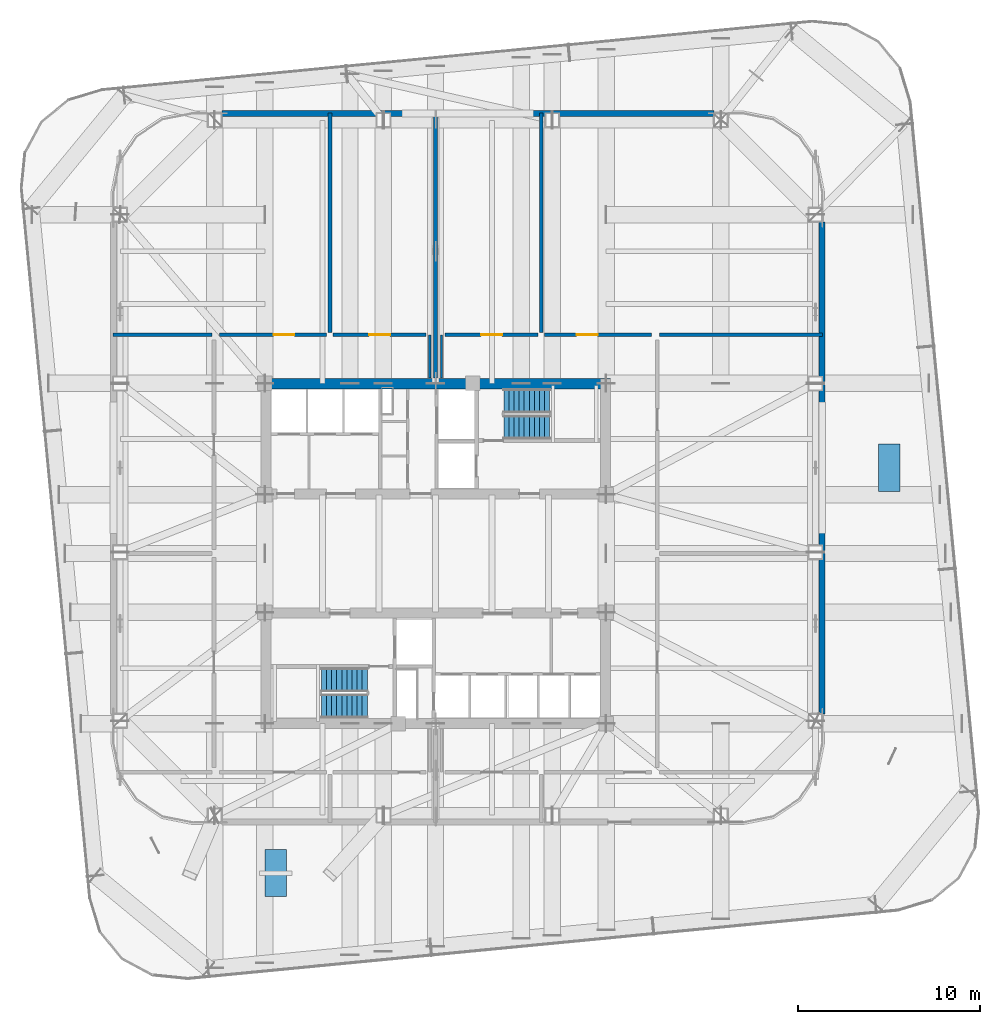
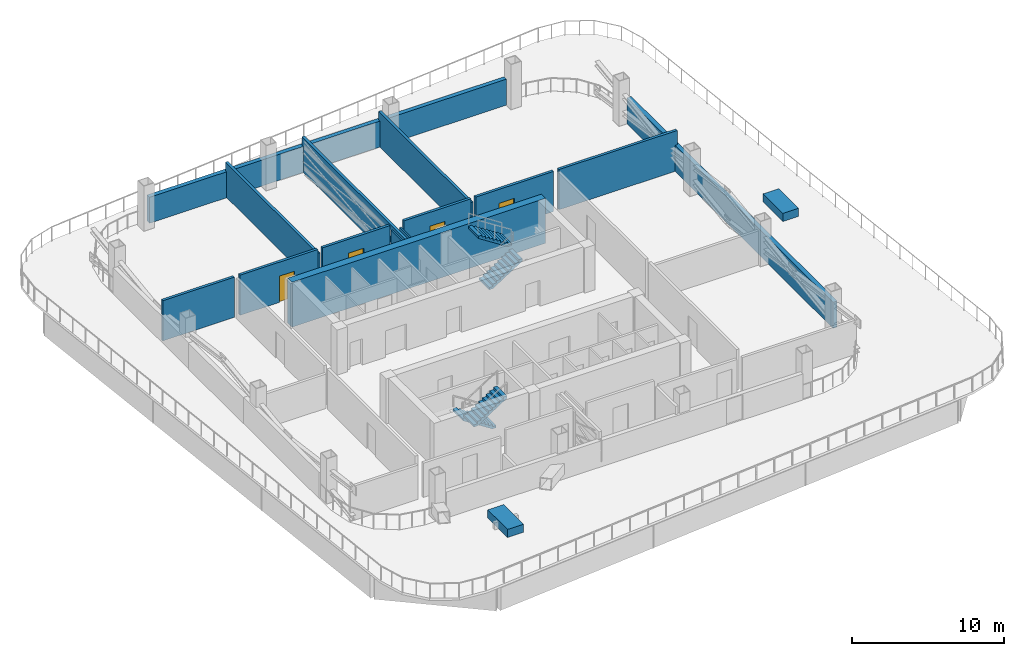
# One storey, part 10 of 15: 14 walls, 4 doors, 4 stair flights, 2 discrete accessories, 4 openings, 2 elements without a shape of their own.
"""IFC4 building model written with IfcOpenShell, lengths in metres."""

from ifc_helpers import new_model, si_unit, direction, frame, frame_2d, origin, origin_2d, place, context, subcontext, project, spatial, polyline, rectangle, outline, extrude, material, layer, layer_set, type_object, element, fill, aggregate, save


model = new_model("IFC4")

# Units and contexts
model_context = context("Model", 3, precision=1e-05, world=origin(), true_north=direction((0.0, 1.0)))
body_context = subcontext(model_context, "Body", "Model", "MODEL_VIEW")
ifc_project = project(units=[si_unit("LENGTHUNIT", "METRE"), si_unit("AREAUNIT", "SQUARE_METRE"), si_unit("VOLUMEUNIT", "CUBIC_METRE"), si_unit("PLANEANGLEUNIT", "RADIAN"), si_unit("MASSUNIT", "GRAM", prefix="KILO")], contexts=[model_context])

# Site, building, storey
site_placement = place(None, origin())
site = spatial("IfcSite", under=ifc_project, at=site_placement, CompositionType="ELEMENT")
building_placement = place(site_placement, origin())
building = spatial("IfcBuilding", under=site, at=building_placement, Name="Qhalaya Broadcast Tower", CompositionType="ELEMENT")
storey_placement = place(building_placement, frame((0.0, 0.0, 101.25)))
storey = spatial("IfcBuildingStorey", under=building, at=storey_placement, Name="L29", CompositionType="ELEMENT", Elevation=101.25)

# Wall
ifc_material_1 = material(Name="Gypsum Acoustic Partition")
ifc_layer_1 = layer(ifc_material_1, 0.199951171875, Name="Gypsum Acoustic Partition")
ifc_layer_set_1 = layer_set([ifc_layer_1], Name="Gypsum Acoustic Partition")
wall_type_1 = type_object("IfcWallType", Name="Firefighting Lobby & Stair Enclosure Wall 200", PredefinedType="PARTITIONING", material=ifc_layer_set_1)
wall_1_placement = place(storey_placement, frame((0.0, 10.239990234375, 0.0), z_axis=(0.0, 0.0, 1.0), x_axis=(0.0, 1.0, 0.0)))
element("IfcWall", 1, at=wall_1_placement, inside=storey, type_object=wall_type_1, Name="L29 Partition Wall W-OBN", PredefinedType="PARTITIONING", context=body_context, shape_type="SweptSolid", body=[
    extrude(rectangle(XDim=14.550048828125, YDim=0.199951171875, at=frame_2d((7.27490234375, 0.0))), origin(), (0.0, 0.0, 1.0), 2.740966796875),
])

# Wall, opening, door
wall_2_placement = place(storey_placement, frame((-11.8701171875, 12.6201171875, 0.0), z_axis=(0.0, 0.0, 1.0), x_axis=(1.0, 0.0, 0.0)))
wall_2 = element("IfcWall", 2, at=wall_2_placement, inside=storey, type_object=wall_type_1, Name="L29 Partition Wall W-PCN0", PredefinedType="PARTITIONING", context=body_context, shape_type="SweptSolid", body=[
    extrude(rectangle(XDim=5.89013671875, YDim=0.199951171875, at=frame_2d((2.945068359375, 0.0))), origin(), (0.0, 0.0, 1.0), 3.219970703125),
])
opening_1_placement = place(wall_2_placement, frame((2.969970703125, 0.0, 0.0)))
opening_1 = element("IfcOpeningElement", 3, at=opening_1_placement, cuts=wall_2, Name="Opening D05", PredefinedType="OPENING", context=body_context, shape_type="SweptSolid", body=[
    extrude(rectangle(XDim=1.14990234375, YDim=2.10009765625, at=frame_2d((0.574951171875, 1.050048828125))), frame((0.0, 0.112060546875, 0.0), z_axis=(0.0, -1.0, 0.0), x_axis=(1.0, 0.0, 0.0)), (0.0, 0.0, 1.0), 0.223876953125),
])
ifc_material_2 = material(Name="Fire-Rated Steel Door", Category="steel")
door_type = type_object("IfcDoorType", Name="Refuge & Plant Room Fire Door D05", OperationType="NOTDEFINED", PredefinedType="DOOR", material=ifc_material_2)
door_1_placement = place(opening_1_placement, origin())
door_1 = element("IfcDoor", 4, at=door_1_placement, inside=storey, type_object=door_type, Name="L29 Door D-PCN0", OperationType="SINGLE_SWING_LEFT", OverallHeight=2.10009765625, OverallWidth=1.14990234375, PredefinedType="DOOR", context=body_context, shape_type="SweptSolid", body=[
    extrude(rectangle(XDim=1.14990234375, YDim=2.10009765625, at=frame_2d((0.574951171875, 1.050048828125))), frame((0.0, 0.02490234375, 0.0), z_axis=(0.0, -1.0, 0.0), x_axis=(1.0, 0.0, 0.0)), (0.0, 0.0, 1.0), 0.050048828125),
])
fill(opening_1, door_1)

# Wall
wall_3_placement = place(storey_placement, frame((-5.800048828125, 12.739990234375, 0.0), z_axis=(0.0, 0.0, 1.0), x_axis=(0.0, 1.0, 0.0)))
element("IfcWall", 5, at=wall_3_placement, inside=storey, type_object=wall_type_1, Name="L29 Partition Wall W-PDN1", PredefinedType="PARTITIONING", context=body_context, shape_type="SweptSolid", body=[
    extrude(rectangle(XDim=12.050048828125, YDim=0.199951171875, at=frame_2d((6.02490234375, 0.0))), origin(), (0.0, 0.0, 1.0), 2.740966796875),
])

# Wall, opening, door
wall_4_placement = place(storey_placement, frame((-5.6201171875, 12.6201171875, 0.0), z_axis=(0.0, 0.0, 1.0), x_axis=(1.0, 0.0, 0.0)))
wall_4 = element("IfcWall", 6, at=wall_4_placement, inside=storey, type_object=wall_type_1, Name="L29 Partition Wall W-PCN1", PredefinedType="PARTITIONING", context=body_context, shape_type="SweptSolid", body=[
    extrude(rectangle(XDim=5.090087890625, YDim=0.199951171875, at=frame_2d((2.544921875, 0.0))), origin(), (0.0, 0.0, 1.0), 3.219970703125),
])
opening_2_placement = place(wall_4_placement, frame((1.969970703125, 0.0, 0.0)))
opening_2 = element("IfcOpeningElement", 7, at=opening_2_placement, cuts=wall_4, Name="Opening D05", PredefinedType="OPENING", context=body_context, shape_type="SweptSolid", body=[
    extrude(rectangle(XDim=1.14990234375, YDim=2.10009765625, at=frame_2d((0.574951171875, 1.050048828125))), frame((0.0, 0.112060546875, 0.0), z_axis=(0.0, -1.0, 0.0), x_axis=(1.0, 0.0, 0.0)), (0.0, 0.0, 1.0), 0.223876953125),
])
door_2_placement = place(opening_2_placement, origin())
door_2 = element("IfcDoor", 8, at=door_2_placement, inside=storey, type_object=door_type, Name="L29 Door D-PCN1", OperationType="SINGLE_SWING_LEFT", OverallHeight=2.10009765625, OverallWidth=1.14990234375, PredefinedType="DOOR", context=body_context, shape_type="SweptSolid", body=[
    extrude(rectangle(XDim=1.14990234375, YDim=2.10009765625, at=frame_2d((0.574951171875, 1.050048828125))), frame((0.0, 0.02490234375, 0.0), z_axis=(0.0, -1.0, 0.0), x_axis=(1.0, 0.0, 0.0)), (0.0, 0.0, 1.0), 0.050048828125),
])
fill(opening_2, door_2)

wall_5_placement = place(storey_placement, frame((0.530029296875, 12.6201171875, 0.0), z_axis=(0.0, 0.0, 1.0), x_axis=(1.0, 0.0, 0.0)))
wall_5 = element("IfcWall", 9, at=wall_5_placement, inside=storey, type_object=wall_type_1, Name="L29 Partition Wall W-PCN2", PredefinedType="PARTITIONING", context=body_context, shape_type="SweptSolid", body=[
    extrude(rectangle(XDim=5.090087890625, YDim=0.199951171875, at=frame_2d((2.544921875, 0.0))), origin(), (0.0, 0.0, 1.0), 3.219970703125),
])
opening_3_placement = place(wall_5_placement, frame((1.969970703125, 0.0, 0.0)))
opening_3 = element("IfcOpeningElement", 10, at=opening_3_placement, cuts=wall_5, Name="Opening D05", PredefinedType="OPENING", context=body_context, shape_type="SweptSolid", body=[
    extrude(rectangle(XDim=1.14990234375, YDim=2.10009765625, at=frame_2d((0.574951171875, 1.050048828125))), frame((0.0, 0.112060546875, 0.0), z_axis=(0.0, -1.0, 0.0), x_axis=(1.0, 0.0, 0.0)), (0.0, 0.0, 1.0), 0.223876953125),
])
door_3_placement = place(opening_3_placement, origin())
door_3 = element("IfcDoor", 11, at=door_3_placement, inside=storey, type_object=door_type, Name="L29 Door D-PCN2", OperationType="SINGLE_SWING_LEFT", OverallHeight=2.10009765625, OverallWidth=1.14990234375, PredefinedType="DOOR", context=body_context, shape_type="SweptSolid", body=[
    extrude(rectangle(XDim=1.14990234375, YDim=2.10009765625, at=frame_2d((0.574951171875, 1.050048828125))), frame((0.0, 0.02490234375, 0.0), z_axis=(0.0, -1.0, 0.0), x_axis=(1.0, 0.0, 0.0)), (0.0, 0.0, 1.0), 0.050048828125),
])
fill(opening_3, door_3)

# Wall
wall_6_placement = place(storey_placement, frame((5.800048828125, 12.739990234375, 0.0), z_axis=(0.0, 0.0, 1.0), x_axis=(0.0, 1.0, 0.0)))
element("IfcWall", 12, at=wall_6_placement, inside=storey, type_object=wall_type_1, Name="L29 Partition Wall W-PDN3", PredefinedType="PARTITIONING", context=body_context, shape_type="SweptSolid", body=[
    extrude(rectangle(XDim=12.050048828125, YDim=0.199951171875, at=frame_2d((6.02490234375, 0.0))), origin(), (0.0, 0.0, 1.0), 2.740966796875),
])

# Wall, opening, door
wall_7_placement = place(storey_placement, frame((5.97998046875, 12.6201171875, 0.0), z_axis=(0.0, 0.0, 1.0), x_axis=(1.0, 0.0, 0.0)))
wall_7 = element("IfcWall", 13, at=wall_7_placement, inside=storey, type_object=wall_type_1, Name="L29 Partition Wall W-PCN3", PredefinedType="PARTITIONING", context=body_context, shape_type="SweptSolid", body=[
    extrude(rectangle(XDim=5.89013671875, YDim=0.199951171875, at=frame_2d((2.945068359375, 0.0))), origin(), (0.0, 0.0, 1.0), 3.219970703125),
])
opening_4_placement = place(wall_7_placement, frame((1.77001953125, 0.0, 0.0)))
opening_4 = element("IfcOpeningElement", 14, at=opening_4_placement, cuts=wall_7, Name="Opening D05", PredefinedType="OPENING", context=body_context, shape_type="SweptSolid", body=[
    extrude(rectangle(XDim=1.14990234375, YDim=2.10009765625, at=frame_2d((0.574951171875, 1.050048828125))), frame((0.0, 0.112060546875, 0.0), z_axis=(0.0, -1.0, 0.0), x_axis=(1.0, 0.0, 0.0)), (0.0, 0.0, 1.0), 0.223876953125),
])
door_4_placement = place(opening_4_placement, origin())
door_4 = element("IfcDoor", 15, at=door_4_placement, inside=storey, type_object=door_type, Name="L29 Door D-PCN3", OperationType="SINGLE_SWING_LEFT", OverallHeight=2.10009765625, OverallWidth=1.14990234375, PredefinedType="DOOR", context=body_context, shape_type="SweptSolid", body=[
    extrude(rectangle(XDim=1.14990234375, YDim=2.10009765625, at=frame_2d((0.574951171875, 1.050048828125))), frame((0.0, 0.02490234375, 0.0), z_axis=(0.0, -1.0, 0.0), x_axis=(1.0, 0.0, 0.0)), (0.0, 0.0, 1.0), 0.050048828125),
])
fill(opening_4, door_4)

# Walls
wall_8_placement = place(storey_placement, frame((-17.7099609375, 12.6201171875, 0.0), z_axis=(0.0, 0.0, 1.0), x_axis=(1.0, 0.0, 0.0)))
element("IfcWall", 16, at=wall_8_placement, inside=storey, type_object=wall_type_1, Name="L29 Partition Wall W-PBNW", PredefinedType="PARTITIONING", context=body_context, shape_type="SweptSolid", body=[
    extrude(rectangle(XDim=5.419921875, YDim=0.199951171875, at=frame_2d((2.7099609375, 0.0))), origin(), (0.0, 0.0, 1.0), 3.219970703125),
])
wall_9_placement = place(storey_placement, frame((12.2900390625, 12.6201171875, 0.0), z_axis=(0.0, 0.0, 1.0), x_axis=(1.0, 0.0, 0.0)))
element("IfcWall", 17, at=wall_9_placement, inside=storey, type_object=wall_type_1, Name="L29 Partition Wall W-PBNE", PredefinedType="PARTITIONING", context=body_context, shape_type="SweptSolid", body=[
    extrude(rectangle(XDim=8.9599609375, YDim=0.199951171875, at=frame_2d((4.47998046875, 0.0))), origin(), (0.0, 0.0, 1.0), 3.219970703125),
])
ifc_material_3 = material(Name="Concrete C60/75", Category="concrete")
ifc_layer_2 = layer(ifc_material_3, 0.550048828125, Name="Concrete C60/75")
ifc_layer_set_2 = layer_set([ifc_layer_2], Name="Concrete C60/75")
wall_type_2 = type_object("IfcWallType", Name="Lower Split-Core Shear Wall 550", PredefinedType="SHEAR", material=ifc_layer_set_2)
wall_10_placement = place(storey_placement, frame((-9.60009765625, 9.925048828125, 0.0), z_axis=(0.0, 0.0, 1.0), x_axis=(1.0, 0.0, 0.0)))
element("IfcWall", 18, at=wall_10_placement, inside=storey, type_object=wall_type_2, Name="L29 Split-Core Shear Wall CW-NN", PredefinedType="SHEAR", context=body_context, shape_type="SweptSolid", body=[
    extrude(rectangle(XDim=19.2001953125, YDim=0.550048828125, at=frame_2d((9.60009765625, 0.0))), origin(), (0.0, 0.0, 1.0), 3.60009765625),
])
ifc_layer_3 = layer(ifc_material_1, 0.1201171875, Name="Gypsum Acoustic Partition")
ifc_layer_set_3 = layer_set([ifc_layer_3], Name="Gypsum Acoustic Partition")
wall_type_3 = type_object("IfcWallType", Name="Office, Booth & Sanitary Partition 120", PredefinedType="PARTITIONING", material=ifc_layer_set_3)
for number, where, z_axis, x_axis, name in (
    (19, (-0.320068359375, 10.239990234375, 0.0), (0.0, 0.0, 1.0), (0.0, 1.0, 0.0), "L29 Partition Wall W-OBNCW"),
    (20, (0.320068359375, 10.239990234375, 0.0), (0.0, 0.0, 1.0), (0.0, 1.0, 0.0), "L29 Partition Wall W-OBNCE"),
):
    element("IfcWall", number, at=place(storey_placement, frame(where, z_axis=z_axis, x_axis=x_axis)), inside=storey, type_object=wall_type_3, Name=name, PredefinedType="PARTITIONING", context=body_context, shape_type="SweptSolid", body=[
        extrude(rectangle(XDim=2.360107421875, YDim=0.1201171875, at=frame_2d((1.18017578125, 0.0))), origin(), (0.0, 0.0, 1.0), 2.740966796875),
    ])
ifc_material_4 = material(Name="Precast Concrete C40/50", Category="concrete")
ifc_layer_4 = layer(ifc_material_4, 0.320068359375, Name="Precast Concrete C40/50")
ifc_layer_set_4 = layer_set([ifc_layer_4], Name="Precast Concrete C40/50")
wall_type_4 = type_object("IfcWallType", Name="Recessed Neck Insulated Exterior Wall 320", PredefinedType="SOLIDWALL", material=ifc_layer_set_4)
for number, where, z_axis, x_axis, name in (
    (21, (21.22998046875, 18.822021484375, 0.0), (0.0, 0.0, 1.0), (0.0, -1.0, 0.0), "L29 Exterior Facade Wall E"),
    (22, (-11.741943359375, 24.77001953125, 0.0), (0.0, 0.0, 1.0), (1.0, 0.0, 0.0), "L29 Exterior Facade Wall N"),
):
    element("IfcWall", number, at=place(storey_placement, frame(where, z_axis=z_axis, x_axis=x_axis)), inside=storey, type_object=wall_type_4, Name=name, PredefinedType="SOLIDWALL", context=body_context, shape_type="SweptSolid", body=[
        extrude(rectangle(XDim=27.02392578125, YDim=0.320068359375, at=frame_2d((13.511962890625, 0.0))), origin(), (0.0, 0.0, 1.0), 2.08203125),
    ])

# Stair, stair flights
ifc_material_5 = material(Name="Concrete C40/50", Category="concrete")
stair_type = type_object("IfcStairType", Name="Protected Dogleg Core Stair 3600", PredefinedType="TWO_STRAIGHT_RUN_STAIR", material=ifc_material_5)
stair_1_placement = place(storey_placement, origin())
stair_1 = element("IfcStair", 23, at=stair_1_placement, inside=storey, type_object=stair_type, Name="L29 North Core Exit Stair ST-1", PredefinedType="TWO_STRAIGHT_RUN_STAIR")
stair_flight_type = type_object("IfcStairFlightType", Name="Precast Concrete Stair Flight 3600", PredefinedType="STRAIGHT", material=ifc_material_4)
stair_flight_1_placement = place(storey_placement, frame((3.75, 7.5400390625, 0.0), z_axis=(0.0, 0.0, 1.0), x_axis=(1.0, 0.0, 0.0)))
stair_flight_1 = element("IfcStairFlight", 24, at=stair_flight_1_placement, type_object=stair_flight_type, Name="ST-1 flight 1", NumberOfRisers=10, NumberOfTreads=9, PredefinedType="STRAIGHT", RiserHeight=0.18, TreadLength=0.28, context=body_context, shape_type="SweptSolid", body=[
    extrude(outline(polyline([(0.0, 0.0), (0.0, 0.179931640625), (0.280029296875, 0.179931640625), (0.280029296875, 0.360107421875), (0.56005859375, 0.360107421875), (0.56005859375, 0.5400390625), (0.840087890625, 0.5400390625), (0.840087890625, 0.719970703125), (1.1201171875, 0.719970703125), (1.1201171875, 0.89990234375), (1.39990234375, 0.89990234375), (1.39990234375, 1.080078125), (1.679931640625, 1.080078125), (1.679931640625, 1.260009765625), (1.9599609375, 1.260009765625), (1.9599609375, 1.43994140625), (2.239990234375, 1.43994140625), (2.239990234375, 1.6201171875), (2.52001953125, 1.6201171875), (2.52001953125, 1.800048828125), (2.52001953125, 1.44189453125), (0.277099609375, 0.0), (0.0, 0.0)])), frame((0.0, 0.66015625, 0.0), z_axis=(0.0, -1.0, 0.0), x_axis=(1.0, 0.0, 0.0)), (0.0, 0.0, 1.0), 1.320068359375),
])
stair_flight_2_placement = place(storey_placement, frame((6.27001953125, 8.97998046875, 1.800048828125), z_axis=(0.0, 0.0, 1.0), x_axis=(-1.0, 0.0, 0.0)))
stair_flight_2 = element("IfcStairFlight", 25, at=stair_flight_2_placement, type_object=stair_flight_type, Name="ST-1 flight 2", NumberOfRisers=10, NumberOfTreads=9, PredefinedType="STRAIGHT", RiserHeight=0.18, TreadLength=0.28, context=body_context, shape_type="SweptSolid", body=[
    extrude(outline(polyline([(0.0, 0.0), (0.0, 0.179931640625), (0.280029296875, 0.179931640625), (0.280029296875, 0.360107421875), (0.56005859375, 0.360107421875), (0.56005859375, 0.5400390625), (0.840087890625, 0.5400390625), (0.840087890625, 0.719970703125), (1.1201171875, 0.719970703125), (1.1201171875, 0.89990234375), (1.39990234375, 0.89990234375), (1.39990234375, 1.080078125), (1.679931640625, 1.080078125), (1.679931640625, 1.260009765625), (1.9599609375, 1.260009765625), (1.9599609375, 1.43994140625), (2.239990234375, 1.43994140625), (2.239990234375, 1.6201171875), (2.52001953125, 1.6201171875), (2.52001953125, 1.800048828125), (2.52001953125, 1.44189453125), (0.277099609375, 0.0), (0.0, 0.0)])), frame((0.0, 0.66015625, 0.0), z_axis=(0.0, -1.0, 0.0), x_axis=(1.0, 0.0, 0.0)), (0.0, 0.0, 1.0), 1.320068359375),
])
aggregate(stair_1, [stair_flight_1, stair_flight_2])

stair_2_placement = place(storey_placement, origin())
stair_2 = element("IfcStair", 26, at=stair_2_placement, inside=storey, type_object=stair_type, Name="L29 South Core Exit Stair ST-2", PredefinedType="TWO_STRAIGHT_RUN_STAIR")
stair_flight_3_placement = place(storey_placement, frame((-3.75, -6.340087890625, 0.0), z_axis=(0.0, 0.0, 1.0), x_axis=(-1.0, 0.0, 0.0)))
stair_flight_3 = element("IfcStairFlight", 27, at=stair_flight_3_placement, type_object=stair_flight_type, Name="ST-2 flight 1", NumberOfRisers=10, NumberOfTreads=9, PredefinedType="STRAIGHT", RiserHeight=0.18, TreadLength=0.28, context=body_context, shape_type="SweptSolid", body=[
    extrude(outline(polyline([(0.0, 0.0), (0.0, 0.179931640625), (0.280029296875, 0.179931640625), (0.280029296875, 0.360107421875), (0.56005859375, 0.360107421875), (0.56005859375, 0.5400390625), (0.840087890625, 0.5400390625), (0.840087890625, 0.719970703125), (1.1201171875, 0.719970703125), (1.1201171875, 0.89990234375), (1.39990234375, 0.89990234375), (1.39990234375, 1.080078125), (1.679931640625, 1.080078125), (1.679931640625, 1.260009765625), (1.9599609375, 1.260009765625), (1.9599609375, 1.43994140625), (2.239990234375, 1.43994140625), (2.239990234375, 1.6201171875), (2.52001953125, 1.6201171875), (2.52001953125, 1.800048828125), (2.52001953125, 1.44189453125), (0.277099609375, 0.0), (0.0, 0.0)])), frame((0.0, 0.66015625, 0.0), z_axis=(0.0, -1.0, 0.0), x_axis=(1.0, 0.0, 0.0)), (0.0, 0.0, 1.0), 1.320068359375),
])
stair_flight_4_placement = place(storey_placement, frame((-6.27001953125, -7.780029296875, 1.800048828125), z_axis=(0.0, 0.0, 1.0), x_axis=(1.0, 0.0, 0.0)))
stair_flight_4 = element("IfcStairFlight", 28, at=stair_flight_4_placement, type_object=stair_flight_type, Name="ST-2 flight 2", NumberOfRisers=10, NumberOfTreads=9, PredefinedType="STRAIGHT", RiserHeight=0.18, TreadLength=0.28, context=body_context, shape_type="SweptSolid", body=[
    extrude(outline(polyline([(0.0, 0.0), (0.0, 0.179931640625), (0.280029296875, 0.179931640625), (0.280029296875, 0.360107421875), (0.56005859375, 0.360107421875), (0.56005859375, 0.5400390625), (0.840087890625, 0.5400390625), (0.840087890625, 0.719970703125), (1.1201171875, 0.719970703125), (1.1201171875, 0.89990234375), (1.39990234375, 0.89990234375), (1.39990234375, 1.080078125), (1.679931640625, 1.080078125), (1.679931640625, 1.260009765625), (1.9599609375, 1.260009765625), (1.9599609375, 1.43994140625), (2.239990234375, 1.43994140625), (2.239990234375, 1.6201171875), (2.52001953125, 1.6201171875), (2.52001953125, 1.800048828125), (2.52001953125, 1.44189453125), (0.277099609375, 0.0), (0.0, 0.0)])), frame((0.0, 0.66015625, 0.0), z_axis=(0.0, -1.0, 0.0), x_axis=(1.0, 0.0, 0.0)), (0.0, 0.0, 1.0), 1.320068359375),
])
aggregate(stair_2, [stair_flight_3, stair_flight_4])

# Discrete accessories
ifc_material_6 = material(Name="Fired Architectural Terracotta", Category="masonry")
discrete_accessory_type = type_object("IfcDiscreteAccessoryType", Name="Terracotta Sky-Garden Planter Box PLN-01", PredefinedType="USERDEFINED", material=ifc_material_6)
for number, where, z_axis, x_axis, name in (
    (29, (-8.77783203125, -16.9521484375, 0.0), (0.0, 0.0, 1.0), (1.0, 0.0, 0.0), "L29 Sky Garden Planter PLN-11"),
    (30, (24.924072265625, 5.31005859375, 0.0), (0.0, 0.0, 1.0), (1.0, 0.0, 0.0), "L29 Sky Garden Planter PLN-12"),
):
    element("IfcDiscreteAccessory", number, at=place(storey_placement, frame(where, z_axis=z_axis, x_axis=x_axis)), inside=storey, type_object=discrete_accessory_type, Name=name, ObjectType="PLANTER", PredefinedType="USERDEFINED", context=body_context, shape_type="SweptSolid", body=[
        extrude(rectangle(XDim=1.199951171875, YDim=2.60009765625, at=origin_2d()), origin(), (0.0, 0.0, 1.0), 0.64990234375),
    ])

save(model, "model.ifc")
